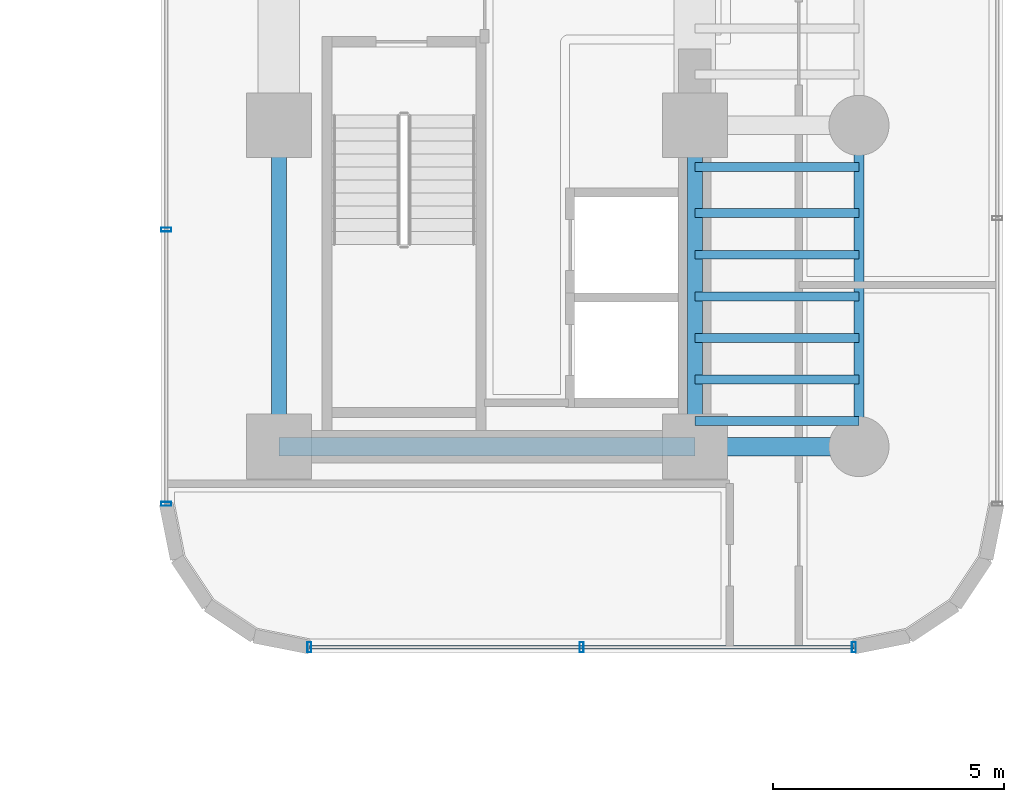
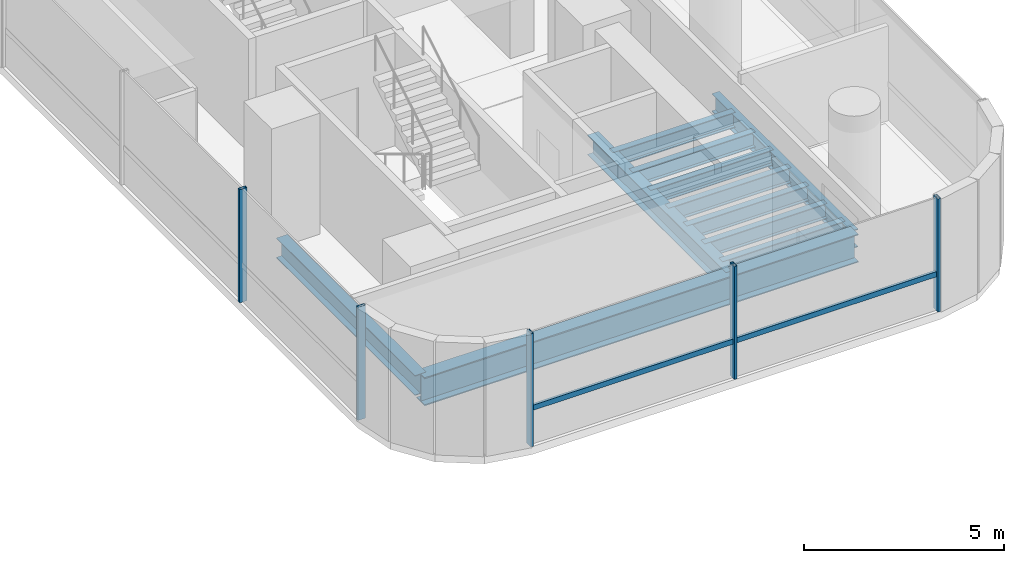
# One storey, part 14 of 40: 12 beams, 6 members, 2 elements without a shape of their own.
"""IFC4 building model written with IfcOpenShell, lengths in metres."""

import ifcopenshell
import ifcopenshell.guid

model = None  # the IFC model being written
_history = None  # IfcOwnerHistory: only IFC2X3 demands one
_inside = {}  # id of a spatial element -> (the spatial element, [elements in it])
_under = {}  # id of a project, library or spatial element -> (it, [spatial elements below it])
_declared = {}  # id of a project -> (the project, [libraries it declares])
_typed = {}  # id of a type object -> (the type object, [elements of that type])
_made_of = {}  # id of a material, layer set ... -> (it, [elements and type objects made of it])


def new_model(schema):
    """Start an empty IFC model of exactly this schema.

    Asked for "IFC4X3", IfcOpenShell would pick the latest addendum, in which some entities
    have other attributes; the version numbers below select the first issue.
    IFC2X3 requires an IfcOwnerHistory on every rooted entity: one is made here for all.
    """
    global model, _history
    if schema == "IFC4X3":
        model = ifcopenshell.file(schema_version=(4, 3, 0, 0))
    else:
        model = ifcopenshell.file(schema=schema)
    _inside.clear()
    _under.clear()
    _declared.clear()
    _typed.clear()
    _made_of.clear()
    _history = None
    if model.schema == "IFC2X3":
        org = make("IfcOrganization", Name="unknown")
        user = make(
            "IfcPersonAndOrganization",
            ThePerson=make("IfcPerson", FamilyName="unknown"),
            TheOrganization=org,
        )
        app = make(
            "IfcApplication",
            ApplicationDeveloper=org,
            Version="unknown",
            ApplicationFullName="unknown",
            ApplicationIdentifier="unknown",
        )
        _history = make(
            "IfcOwnerHistory",
            OwningUser=user,
            OwningApplication=app,
            ChangeAction="ADDED",
            CreationDate=0,
        )
    return model


def make(cls, **values):
    """One entity of the class cls with the attributes given. An attribute that is None is left unset."""
    return model.create_entity(
        cls, **{name: value for name, value in values.items() if value is not None}
    )


def rooted(cls, **values):
    """An entity with a GlobalId (a new one), such as an element, a storey or a relation."""
    return make(cls, GlobalId=ifcopenshell.guid.new(), OwnerHistory=_history, **values)


def si_unit(unit_type, name, prefix=None):
    """IfcSIUnit, for example si_unit("LENGTHUNIT", "METRE", prefix="MILLI")."""
    return make("IfcSIUnit", UnitType=unit_type, Prefix=prefix, Name=name)


def assignment(units):
    """IfcUnitAssignment: the units of a project."""
    return None if units is None else make("IfcUnitAssignment", Units=units)


def point(xyz):
    """IfcCartesianPoint."""
    return None if xyz is None else make("IfcCartesianPoint", Coordinates=xyz)


def direction(xyz):
    """IfcDirection."""
    return None if xyz is None else make("IfcDirection", DirectionRatios=xyz)


def frame(location, z_axis=None, x_axis=None):
    """IfcAxis2Placement3D, a coordinate frame: its origin and axes. An axis left out is left unset."""
    return make(
        "IfcAxis2Placement3D",
        Location=point(location),
        Axis=direction(z_axis),
        RefDirection=direction(x_axis),
    )


def frame_2d(location, x_axis=None):
    """IfcAxis2Placement2D, a coordinate frame in the plane: its origin and x axis."""
    return make(
        "IfcAxis2Placement2D", Location=point(location), RefDirection=direction(x_axis)
    )


def origin():
    """The frame at (0, 0, 0) with its axes left unset."""
    return frame((0.0, 0.0, 0.0))


def origin_2d():
    """The frame at (0, 0) in the plane with its x axis left unset."""
    return frame_2d((0.0, 0.0))


def place(relative_to, where):
    """IfcLocalPlacement: puts the frame where relative to a parent placement (None: the world)."""
    return make(
        "IfcLocalPlacement", PlacementRelTo=relative_to, RelativePlacement=where
    )


def context(
    kind, dimensions, precision=None, world=None, true_north=None, identifier=None
):
    """IfcGeometricRepresentationContext, for example the 3D "Model" context."""
    return make(
        "IfcGeometricRepresentationContext",
        ContextIdentifier=identifier,
        ContextType=kind,
        CoordinateSpaceDimension=dimensions,
        Precision=precision,
        WorldCoordinateSystem=world,
        TrueNorth=true_north,
    )


def subcontext(parent, identifier, kind, view, scale=None):
    """IfcGeometricRepresentationSubContext, for example "Body" below "Model"."""
    return make(
        "IfcGeometricRepresentationSubContext",
        ContextIdentifier=identifier,
        ContextType=kind,
        ParentContext=parent,
        TargetScale=scale,
        TargetView=view,
    )


def project(units=None, contexts=None):
    """IfcProject with its units and contexts."""
    return rooted(
        "IfcProject",
        Name="project",
        RepresentationContexts=contexts,
        UnitsInContext=assignment(units),
    )


def spatial(cls, under=None, at=None, **own):
    """A site, building, storey or space (cls), placed at a placement, below another one or the project."""
    s = rooted(cls, ObjectPlacement=at, **own)
    if under is not None:
        _under.setdefault(under.id(), (under, []))[1].append(s)
    return s


def profile(cls, at=None, kind="AREA", **sizes):
    """A parametric profile (cls). Its sizes go by their IFC names, for example OverallWidth=200.0."""
    return make(cls, ProfileType=kind, Position=at, **sizes)


def hollow_rectangle(**sizes):
    """IfcRectangleHollowProfileDef."""
    return profile("IfcRectangleHollowProfileDef", **sizes)


def i_section(**sizes):
    """IfcIShapeProfileDef."""
    return profile("IfcIShapeProfileDef", **sizes)


def extrude(swept, where, along, depth):
    """IfcExtrudedAreaSolid: the profile swept, set in the frame where, extruded along a direction by depth."""
    return make(
        "IfcExtrudedAreaSolid",
        SweptArea=swept,
        Position=where,
        ExtrudedDirection=direction(along),
        Depth=depth,
    )


def shape(context_of_items, identifier, shape_type, items):
    """IfcShapeRepresentation: the items that make up one representation, for example the "Body"."""
    return make(
        "IfcShapeRepresentation",
        ContextOfItems=context_of_items,
        RepresentationIdentifier=identifier,
        RepresentationType=shape_type,
        Items=items,
    )


def source(mapping_origin, context_of_items, identifier, shape_type, items):
    """IfcRepresentationMap: a shape defined once, which mapped items show again and again."""
    return make(
        "IfcRepresentationMap",
        MappingOrigin=mapping_origin,
        MappedRepresentation=shape(context_of_items, identifier, shape_type, items),
    )


def transform(
    local_origin,
    x_axis=None,
    y_axis=None,
    z_axis=None,
    scale=None,
    scale2=None,
    scale3=None,
    uniform=True,
):
    """IfcCartesianTransformationOperator3D, or its non-uniform kind. x_axis, y_axis, z_axis: its Axis1, 2, 3."""
    if uniform:
        return make(
            "IfcCartesianTransformationOperator3D",
            Axis1=direction(x_axis),
            Axis2=direction(y_axis),
            LocalOrigin=point(local_origin),
            Scale=scale,
            Axis3=direction(z_axis),
        )
    return make(
        "IfcCartesianTransformationOperator3DnonUniform",
        Axis1=direction(x_axis),
        Axis2=direction(y_axis),
        LocalOrigin=point(local_origin),
        Scale=scale,
        Axis3=direction(z_axis),
        Scale2=scale2,
        Scale3=scale3,
    )


def mapped(mapping_source, mapping_target):
    """IfcMappedItem: shows the shape of a source again, moved by a transform."""
    return make(
        "IfcMappedItem", MappingSource=mapping_source, MappingTarget=mapping_target
    )


def material(Name=None, Category=None):
    """IfcMaterial."""
    return make("IfcMaterial", Name=Name, Category=Category)


def material_profile(
    of_material, cross_section, Name=None, Category=None, Priority=None
):
    """IfcMaterialProfile: a cross section and its material."""
    return make(
        "IfcMaterialProfile",
        Name=Name,
        Material=of_material,
        Profile=cross_section,
        Priority=Priority,
        Category=Category,
    )


def profile_set(profiles, Name=None, composite=None):
    """IfcMaterialProfileSet."""
    return make(
        "IfcMaterialProfileSet",
        Name=Name,
        MaterialProfiles=profiles,
        CompositeProfile=composite,
    )


def made_of(thing, what):
    """Note that an element or type object is made of a material, layer set ...; save() writes the relation."""
    if what is not None:
        _made_of.setdefault(what.id(), (what, []))[1].append(thing)
    return thing


def type_object(cls, material=None, **own):
    """A type object (cls), such as IfcWallType, which elements share."""
    return made_of(rooted(cls, **own), material)


def element(
    cls,
    number,
    at=None,
    inside=None,
    cuts=None,
    type_object=None,
    material=None,
    context=None,
    identifier="Body",
    shape_type=None,
    held_by="IfcProductDefinitionShape",
    body=None,
    shapes=None,
    **own,
):
    """One element of the class cls, such as IfcWall. Its Tag is "e" and its number.

    at: its placement. inside: the storey or other place that contains it. cuts: it is an
    opening in that element (IfcRelVoidsElement). A single representation is given by context,
    identifier, shape_type and body (its items); several are given by shapes. held_by: the class
    of the entity that holds the representations. save() writes the other relations.
    """
    e = rooted(cls, Tag="e%d" % number, ObjectPlacement=at, **own)
    if body is not None:
        shapes = [shape(context, identifier, shape_type, body)]
    if shapes is not None:
        e.Representation = make(held_by, Representations=shapes)
    if inside is not None:
        _inside.setdefault(inside.id(), (inside, []))[1].append(e)
    if cuts is not None:
        rooted(
            "IfcRelVoidsElement", RelatingBuildingElement=cuts, RelatedOpeningElement=e
        )
    if type_object is not None:
        _typed.setdefault(type_object.id(), (type_object, []))[1].append(e)
    return made_of(e, material)


def aggregate(whole, parts):
    """IfcRelAggregates: a whole, such as a stair, and the parts it consists of."""
    return rooted("IfcRelAggregates", RelatingObject=whole, RelatedObjects=parts)


def save(model, path):
    """Write the relations noted so far, then the file.

    IfcRelAggregates (storeys below a building ...), IfcRelContainedInSpatialStructure (elements
    in a storey), IfcRelDefinesByType, IfcRelAssociatesMaterial and IfcRelDeclares: one each for
    every whole, place, type object, material and project.
    """
    for whole, parts in _under.values():
        aggregate(whole, parts)
    for where, things in _inside.values():
        rooted(
            "IfcRelContainedInSpatialStructure",
            RelatedElements=things,
            RelatingStructure=where,
        )
    for kind, things in _typed.values():
        rooted("IfcRelDefinesByType", RelatedObjects=things, RelatingType=kind)
    for what, things in _made_of.values():
        rooted("IfcRelAssociatesMaterial", RelatedObjects=things, RelatingMaterial=what)
    for by, libraries in _declared.values():
        rooted("IfcRelDeclares", RelatingContext=by, RelatedDefinitions=libraries)
    model.write(path)


model = new_model("IFC4")

# Units and contexts
model_context = context("Model", 3, precision=1e-05, world=origin(), true_north=direction((0.0, 1.0)))
body_context = subcontext(model_context, "Body", "Model", "MODEL_VIEW")
ifc_project = project(units=[si_unit("LENGTHUNIT", "METRE"), si_unit("AREAUNIT", "SQUARE_METRE"), si_unit("VOLUMEUNIT", "CUBIC_METRE"), si_unit("PLANEANGLEUNIT", "RADIAN"), si_unit("MASSUNIT", "GRAM", prefix="KILO")], contexts=[model_context])

# Site, building, storey
site_placement = place(None, origin())
site = spatial("IfcSite", under=ifc_project, at=site_placement, CompositionType="ELEMENT")
building_placement = place(site_placement, origin())
building = spatial("IfcBuilding", under=site, at=building_placement, Name="Valdorenza Pilgrim Sanctuary Tower", CompositionType="ELEMENT")
storey_placement = place(building_placement, frame((0.0, 0.0, 81.5)))
storey = spatial("IfcBuildingStorey", under=building, at=storey_placement, Name="L20", CompositionType="ELEMENT", Elevation=81.5)

# Beams
ifc_material_1 = material(Name="Steel ASTM A992 Grade 50", Category="steel")
ifc_material_profile_1 = material_profile(ifc_material_1, i_section(OverallWidth=0.323974609375, OverallDepth=0.611083984375, WebThickness=0.0126953125, FlangeThickness=0.01904296875, at=origin_2d()), Name="W24X104")
ifc_profile_set_1 = profile_set([ifc_material_profile_1], Name="Steel ASTM A992 Grade 50")
beam_type_1 = type_object("IfcBeamType", Name="STR-BM-GRD-W24B", PredefinedType="BEAM", material=ifc_profile_set_1)
shared_shape_1 = source(origin(), body_context, "Body", "SweptSolid", [
    extrude(i_section(OverallWidth=0.323974609375, OverallDepth=0.611083984375, WebThickness=0.0126953125, FlangeThickness=0.01904296875, at=origin_2d()), origin(), (0.0, 0.0, 1.0), 6.949951171875),
])
for number, where, z_axis, x_axis, name in (
    (1, (15.85009765625, -9.550048828125, -0.54541015625), (0.0, 1.0, 0.0), (-1.0, 0.0, 0.0), "L20 Core Tie Girder CB-W-S1M0"),
    (2, (24.85009765625, -9.550048828125, -0.54541015625), (0.0, 1.0, 0.0), (-1.0, 0.0, 0.0), "L20 Core Tie Girder CB-E-S1M0"),
):
    element("IfcBeam", number, at=place(storey_placement, frame(where, z_axis=z_axis, x_axis=x_axis)), inside=storey, type_object=beam_type_1, Name=name, PredefinedType="BEAM", context=body_context, shape_type="MappedRepresentation", body=[
        mapped(shared_shape_1, transform((0.0, 0.0, 0.0), x_axis=(1.0, 0.0, 0.0), y_axis=(0.0, 1.0, 0.0), z_axis=(0.0, 0.0, 1.0), scale=1.0)),
    ])
ifc_material_profile_2 = material_profile(ifc_material_1, i_section(OverallWidth=0.214111328125, OverallDepth=0.549072265625, WebThickness=0.0146484375, FlangeThickness=0.023681640625, at=origin_2d()), Name="W21X93")
ifc_profile_set_2 = profile_set([ifc_material_profile_2], Name="Steel ASTM A992 Grade 50")
beam_type_2 = type_object("IfcBeamType", Name="STR-BM-SPN-W21A", PredefinedType="SPANDREL", material=ifc_profile_set_2)
shared_shape_2 = source(origin(), body_context, "Body", "SweptSolid", [
    extrude(i_section(OverallWidth=0.214111328125, OverallDepth=0.549072265625, WebThickness=0.0146484375, FlangeThickness=0.023681640625, at=origin_2d()), origin(), (0.0, 0.0, 1.0), 6.949951171875),
])
beam_1_placement = place(storey_placement, frame((28.39990234375, -9.550048828125, -0.514404296875), z_axis=(0.0, 1.0, 0.0), x_axis=(-1.0, 0.0, 0.0)))
element("IfcBeam", 3, at=beam_1_placement, inside=storey, type_object=beam_type_2, Name="L20 Spandrel Beam WB-E-S1M0", PredefinedType="SPANDREL", context=body_context, shape_type="MappedRepresentation", body=[
    mapped(shared_shape_2, transform((0.0, 0.0, 0.0), x_axis=(1.0, 0.0, 0.0), y_axis=(0.0, 1.0, 0.0), z_axis=(0.0, 0.0, 1.0), scale=1.0)),
])
ifc_material_profile_3 = material_profile(ifc_material_1, i_section(OverallWidth=0.193115234375, OverallDepth=0.466064453125, WebThickness=0.011474609375, FlangeThickness=0.01904296875, at=origin_2d()), Name="W18X65")
ifc_profile_set_3 = profile_set([ifc_material_profile_3], Name="Steel ASTM A992 Grade 50")
beam_type_3 = type_object("IfcBeamType", Name="STR-BM-JST-W18A", PredefinedType="JOIST", material=ifc_profile_set_3)
shared_shape_3 = source(origin(), body_context, "Body", "SweptSolid", [
    extrude(i_section(OverallWidth=0.193115234375, OverallDepth=0.466064453125, WebThickness=0.011474609375, FlangeThickness=0.01904296875, at=origin_2d()), origin(), (0.0, 0.0, 1.0), 3.5498046875),
])
for number, where, z_axis, x_axis, name in (
    (4, (24.85009765625, -9.0, -0.472900390625), (1.0, 0.0, 0.0), (0.0, 1.0, 0.0), "L20 Composite Floor Joist JST-WB-1"),
    (5, (24.85009765625, -8.10009765625, -0.472900390625), (1.0, 0.0, 0.0), (0.0, 1.0, 0.0), "L20 Composite Floor Joist JST-WB-2"),
    (6, (24.85009765625, -7.199951171875, -0.472900390625), (1.0, 0.0, 0.0), (0.0, 1.0, 0.0), "L20 Composite Floor Joist JST-WB-3"),
    (7, (24.85009765625, -6.300048828125, -0.472900390625), (1.0, 0.0, 0.0), (0.0, 1.0, 0.0), "L20 Composite Floor Joist JST-WB-4"),
    (8, (24.85009765625, -5.39990234375, -0.472900390625), (1.0, 0.0, 0.0), (0.0, 1.0, 0.0), "L20 Composite Floor Joist JST-WB-5"),
    (9, (24.85009765625, -4.5, -0.472900390625), (1.0, 0.0, 0.0), (0.0, 1.0, 0.0), "L20 Composite Floor Joist JST-WB-6"),
    (10, (24.85009765625, -3.5, -0.472900390625), (1.0, 0.0, 0.0), (0.0, 1.0, 0.0), "L20 Composite Floor Joist JST-WB-7"),
):
    element("IfcBeam", number, at=place(storey_placement, frame(where, z_axis=z_axis, x_axis=x_axis)), inside=storey, type_object=beam_type_3, Name=name, PredefinedType="JOIST", context=body_context, shape_type="MappedRepresentation", body=[
        mapped(shared_shape_3, transform((0.0, 0.0, 0.0), x_axis=(1.0, 0.0, 0.0), y_axis=(0.0, 1.0, 0.0), z_axis=(0.0, 0.0, 1.0), scale=1.0)),
    ])
ifc_material_profile_4 = material_profile(ifc_material_1, i_section(OverallWidth=0.39990234375, OverallDepth=0.862060546875, WebThickness=0.019775390625, FlangeThickness=0.032470703125, at=origin_2d()), Name="W33X221")
ifc_profile_set_4 = profile_set([ifc_material_profile_4], Name="Steel ASTM A992 Grade 50")
beam_type_4 = type_object("IfcBeamType", Name="STR-BM-GRD-W33", PredefinedType="BEAM", material=ifc_profile_set_4)
shared_shape_4 = source(origin(), body_context, "Body", "SweptSolid", [
    extrude(i_section(OverallWidth=0.39990234375, OverallDepth=0.862060546875, WebThickness=0.019775390625, FlangeThickness=0.032470703125, at=origin_2d()), origin(), (0.0, 0.0, 1.0), 9.0),
])
beam_2_placement = place(storey_placement, frame((15.85009765625, -9.550048828125, -0.6708984375), z_axis=(1.0, 0.0, 0.0), x_axis=(0.0, 1.0, 0.0)))
element("IfcBeam", 11, at=beam_2_placement, inside=storey, type_object=beam_type_4, Name="L20 Floor Girder CB-XC-S1", PredefinedType="BEAM", context=body_context, shape_type="MappedRepresentation", body=[
    mapped(shared_shape_4, transform((0.0, 0.0, 0.0), x_axis=(1.0, 0.0, 0.0), y_axis=(0.0, 1.0, 0.0), z_axis=(0.0, 0.0, 1.0), scale=1.0)),
])
shared_shape_5 = source(origin(), body_context, "Body", "SweptSolid", [
    extrude(i_section(OverallWidth=0.39990234375, OverallDepth=0.862060546875, WebThickness=0.019775390625, FlangeThickness=0.032470703125, at=origin_2d()), origin(), (0.0, 0.0, 1.0), 3.5498046875),
])
beam_3_placement = place(storey_placement, frame((24.85009765625, -9.550048828125, -0.6708984375), z_axis=(1.0, 0.0, 0.0), x_axis=(0.0, 1.0, 0.0)))
element("IfcBeam", 12, at=beam_3_placement, inside=storey, type_object=beam_type_4, Name="L20 Floor Girder WB-XE-S1", PredefinedType="BEAM", context=body_context, shape_type="MappedRepresentation", body=[
    mapped(shared_shape_5, transform((0.0, 0.0, 0.0), x_axis=(1.0, 0.0, 0.0), y_axis=(0.0, 1.0, 0.0), z_axis=(0.0, 0.0, 1.0), scale=1.0)),
])

# Curtain wall, members
ifc_material_2 = material(Name="Curtain-wall IGU glazing", Category="glass")
curtain_wall_type = type_object("IfcCurtainWallType", Name="CW-SYS-03", PredefinedType="NOTDEFINED", material=ifc_material_2)
curtain_wall_1_placement = place(storey_placement, origin())
curtain_wall_1 = element("IfcCurtainWall", 13, at=curtain_wall_1_placement, inside=storey, type_object=curtain_wall_type, Name="L20 Curtain Wall CW-L20-1-26", PredefinedType="NOTDEFINED")
ifc_material_3 = material(Name="Anodised aluminium AW-6060", Category="aluminium")
ifc_material_profile_5 = material_profile(ifc_material_3, hollow_rectangle(XDim=0.0849609375, YDim=0.219970703125, WallThickness=0.0048828125, at=origin_2d()), Name="ALU-M 220x85x5")
ifc_profile_set_5 = profile_set([ifc_material_profile_5], Name="Anodised aluminium AW-6060")
member_type_1 = type_object("IfcMemberType", Name="CW-MUL-03", PredefinedType="MULLION", material=ifc_profile_set_5)
shared_shape_6 = source(origin(), body_context, "Body", "SweptSolid", [
    extrude(hollow_rectangle(XDim=0.0849609375, YDim=0.219970703125, WallThickness=0.0048828125, at=origin_2d()), origin(), (0.0, 0.0, 1.0), 3.4599609375),
])
member_1_placement = place(storey_placement, frame((28.289306640625, -13.889892578125, 0.0), z_axis=(0.0, 0.0, 1.0), x_axis=(-1.0, 0.0, 0.0)))
member_1 = element("IfcMember", 14, at=member_1_placement, type_object=member_type_1, Name="CW-L20-1-26 Mullion 1", PredefinedType="MULLION", context=body_context, shape_type="MappedRepresentation", body=[
    mapped(shared_shape_6, transform((0.0, 0.0, 0.0), x_axis=(1.0, 0.0, 0.0), y_axis=(0.0, 1.0, 0.0), z_axis=(0.0, 0.0, 1.0), scale=1.0)),
])
member_2_placement = place(storey_placement, frame((22.39990234375, -13.889892578125, 0.0), z_axis=(0.0, 0.0, 1.0), x_axis=(-1.0, 0.0, 0.0)))
member_2 = element("IfcMember", 15, at=member_2_placement, type_object=member_type_1, Name="CW-L20-1-26 Mullion 2", PredefinedType="MULLION", context=body_context, shape_type="MappedRepresentation", body=[
    mapped(shared_shape_6, transform((0.0, 0.0, 0.0), x_axis=(1.0, 0.0, 0.0), y_axis=(0.0, 1.0, 0.0), z_axis=(0.0, 0.0, 1.0), scale=1.0)),
])
member_3_placement = place(storey_placement, frame((16.5107421875, -13.889892578125, 0.0), z_axis=(0.0, 0.0, 1.0), x_axis=(-1.0, 0.0, 0.0)))
member_3 = element("IfcMember", 16, at=member_3_placement, type_object=member_type_1, Name="CW-L20-1-26 Mullion 3", PredefinedType="MULLION", context=body_context, shape_type="MappedRepresentation", body=[
    mapped(shared_shape_6, transform((0.0, 0.0, 0.0), x_axis=(1.0, 0.0, 0.0), y_axis=(0.0, 1.0, 0.0), z_axis=(0.0, 0.0, 1.0), scale=1.0)),
])

curtain_wall_2_placement = place(storey_placement, origin())
curtain_wall_2 = element("IfcCurtainWall", 17, at=curtain_wall_2_placement, inside=storey, type_object=curtain_wall_type, Name="L20 Curtain Wall CW-L20-1-31", PredefinedType="NOTDEFINED")
member_4_placement = place(storey_placement, frame((13.409912109375, -10.789306640625, 0.0), z_axis=(0.0, 0.0, 1.0), x_axis=(0.0, 1.0, 0.0)))
member_4 = element("IfcMember", 18, at=member_4_placement, type_object=member_type_1, Name="CW-L20-1-31 Mullion 1", PredefinedType="MULLION", context=body_context, shape_type="MappedRepresentation", body=[
    mapped(shared_shape_6, transform((0.0, 0.0, 0.0), x_axis=(1.0, 0.0, 0.0), y_axis=(0.0, 1.0, 0.0), z_axis=(0.0, 0.0, 1.0), scale=1.0)),
])
member_5_placement = place(storey_placement, frame((13.409912109375, -4.85595703125, 0.0), z_axis=(0.0, 0.0, 1.0), x_axis=(0.0, 1.0, 0.0)))
member_5 = element("IfcMember", 19, at=member_5_placement, type_object=member_type_1, Name="CW-L20-1-31 Mullion 2", PredefinedType="MULLION", context=body_context, shape_type="MappedRepresentation", body=[
    mapped(shared_shape_6, transform((0.0, 0.0, 0.0), x_axis=(1.0, 0.0, 0.0), y_axis=(0.0, 1.0, 0.0), z_axis=(0.0, 0.0, 1.0), scale=1.0)),
])
aggregate(curtain_wall_2, [member_4, member_5])

# Member
ifc_material_profile_6 = material_profile(ifc_material_3, hollow_rectangle(XDim=0.074951171875, YDim=0.159912109375, WallThickness=0.00390625, at=origin_2d()), Name="ALU-T 160x75x4")
ifc_profile_set_6 = profile_set([ifc_material_profile_6], Name="Anodised aluminium AW-6060")
member_type_2 = type_object("IfcMemberType", Name="CW-TRN-03", PredefinedType="USERDEFINED", material=ifc_profile_set_6)
shared_shape_7 = source(origin(), body_context, "Body", "SweptSolid", [
    extrude(hollow_rectangle(XDim=0.074951171875, YDim=0.159912109375, WallThickness=0.00390625, at=origin_2d()), origin(), (0.0, 0.0, 1.0), 11.778564453125),
])
member_6_placement = place(storey_placement, frame((28.289306640625, -13.889892578125, 1.1201171875), z_axis=(-1.0, 0.0, 0.0), x_axis=(0.0, -1.0, 0.0)))
member_6 = element("IfcMember", 20, at=member_6_placement, type_object=member_type_2, Name="CW-L20-1-26 Transom 1", ObjectType="TRANSOM", PredefinedType="USERDEFINED", context=body_context, shape_type="MappedRepresentation", body=[
    mapped(shared_shape_7, transform((0.0, 0.0, 0.0), x_axis=(1.0, 0.0, 0.0), y_axis=(0.0, 1.0, 0.0), z_axis=(0.0, 0.0, 1.0), scale=1.0)),
])

aggregate(curtain_wall_1, [member_1, member_2, member_3, member_6])

save(model, "model.ifc")
